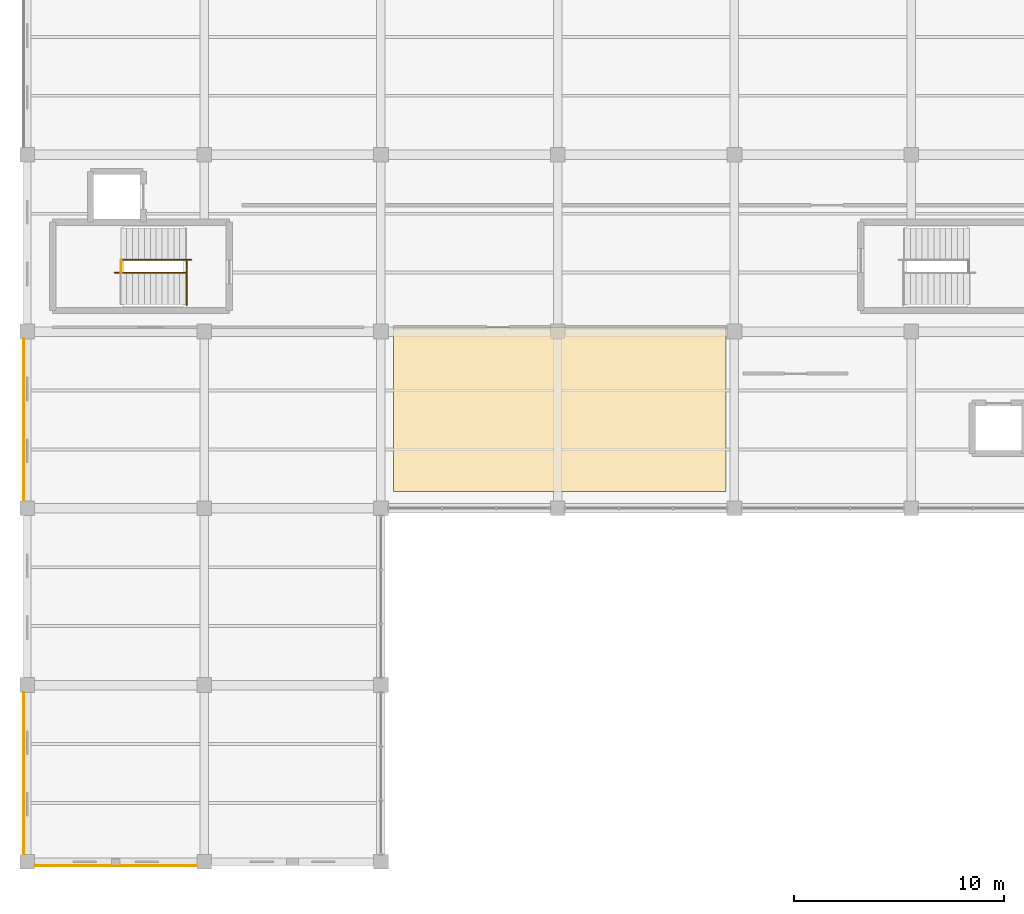
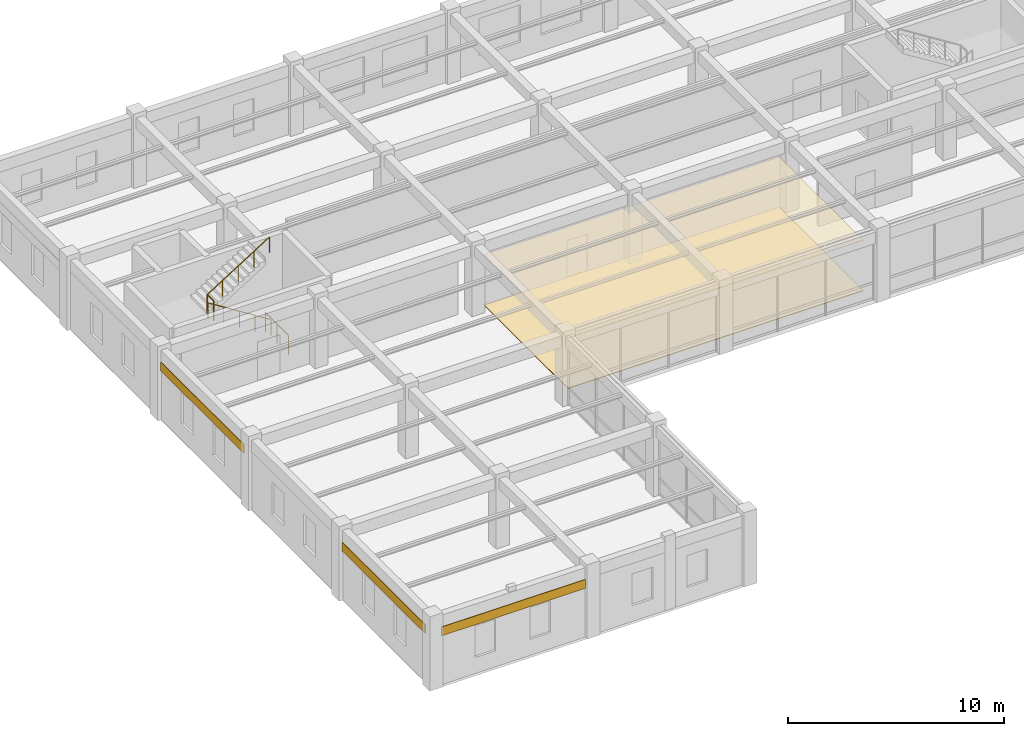
# One storey, part 137 of 152: 5 coverings, 4 railings.
"""IFC4 building model written with IfcOpenShell, lengths in metres."""

from ifc_helpers import new_model, si_unit, direction, frame, origin, origin_2d, place, context, subcontext, project, spatial, polyline, circle, outline, extrude, material, layer, layer_set, type_object, element, save


model = new_model("IFC4")

# Units and contexts
model_context = context("Model", 3, precision=1e-05, world=origin(), true_north=direction((0.0, 1.0)))
body_context = subcontext(model_context, "Body", "Model", "MODEL_VIEW")
ifc_project = project(units=[si_unit("LENGTHUNIT", "METRE"), si_unit("AREAUNIT", "SQUARE_METRE"), si_unit("VOLUMEUNIT", "CUBIC_METRE"), si_unit("PLANEANGLEUNIT", "RADIAN"), si_unit("MASSUNIT", "GRAM", prefix="KILO"), si_unit("THERMODYNAMICTEMPERATUREUNIT", "KELVIN"), si_unit("POWERUNIT", "WATT")], contexts=[model_context])

# Site, building, storey
site_placement = place(None, origin())
site = spatial("IfcSite", under=ifc_project, at=site_placement, CompositionType="ELEMENT")
building_placement = place(site_placement, origin())
building = spatial("IfcBuilding", under=site, at=building_placement, Name="Darbajah Civic Hall", CompositionType="ELEMENT")
storey_placement = place(building_placement, frame((0.0, 0.0, 5.39990234375)))
storey = spatial("IfcBuildingStorey", under=building, at=storey_placement, Name="L01", CompositionType="ELEMENT", Elevation=5.39990234375)

# Railings
ifc_material_1 = material(Name="Brushed Bronze Stainless Steel", Category="steel")
railing_type_1 = type_object("IfcRailingType", Name="Brushed Bronze Handrail", PredefinedType="HANDRAIL", material=ifc_material_1)
railing_1_placement = place(storey_placement, frame((7.52001953125, 28.0, 0.175048828125)))
element("IfcRailing", 1, at=railing_1_placement, inside=storey, type_object=railing_type_1, Name="ST10 L01 lower flight handrail", PredefinedType="HANDRAIL", context=body_context, shape_type="SweptSolid", body=[
    extrude(circle(Radius=0.02392578125, at=origin_2d()), frame((-0.023193359375, 0.0, 0.910400390625), z_axis=(-0.845944288966, 0.0, 0.533271281775), x_axis=(0.0, -1.0, 0.0)), (0.0, 0.0, 1.0), 3.91748046875),
    extrude(circle(Radius=0.02099609375, at=origin_2d()), origin(), (0.0, 0.0, 1.0), 0.867919921875),
    extrude(circle(Radius=0.02099609375, at=origin_2d()), frame((-0.840087890625, 0.0, 0.529541015625)), (0.0, 0.0, 1.0), 0.867919921875),
    extrude(circle(Radius=0.02099609375, at=origin_2d()), frame((-1.68017578125, 0.0, 1.05908203125)), (0.0, 0.0, 1.0), 0.867919921875),
    extrude(circle(Radius=0.02099609375, at=origin_2d()), frame((-2.52001953125, 0.0, 1.588623046875)), (0.0, 0.0, 1.0), 0.867919921875),
    extrude(circle(Radius=0.02099609375, at=origin_2d()), frame((-3.360107421875, 0.0, 2.1181640625)), (0.0, 0.0, 1.0), 0.867919921875),
])
railing_2_placement = place(storey_placement, frame((4.43994140625, 28.60009765625, 2.275146484375)))
element("IfcRailing", 2, at=railing_2_placement, inside=storey, type_object=railing_type_1, Name="ST10 L01 upper flight handrail", PredefinedType="HANDRAIL", context=body_context, shape_type="SweptSolid", body=[
    extrude(circle(Radius=0.02392578125, at=origin_2d()), frame((0.023193359375, 0.0, 0.910400390625), z_axis=(0.845944288966, 0.0, 0.533271281775), x_axis=(0.0, 1.0, 0.0)), (0.0, 0.0, 1.0), 3.91748046875),
    extrude(circle(Radius=0.02099609375, at=origin_2d()), origin(), (0.0, 0.0, 1.0), 0.867919921875),
    extrude(circle(Radius=0.02099609375, at=origin_2d()), frame((0.840087890625, 0.0, 0.529541015625)), (0.0, 0.0, 1.0), 0.867919921875),
    extrude(circle(Radius=0.02099609375, at=origin_2d()), frame((1.68017578125, 0.0, 1.05908203125)), (0.0, 0.0, 1.0), 0.867919921875),
    extrude(circle(Radius=0.02099609375, at=origin_2d()), frame((2.52001953125, 0.0, 1.588623046875)), (0.0, 0.0, 1.0), 0.867919921875),
    extrude(circle(Radius=0.02099609375, at=origin_2d()), frame((3.360107421875, 0.0, 2.1181640625)), (0.0, 0.0, 1.0), 0.867919921875),
])

# Covering
ifc_material_2 = material(Name="Honed Qatari Limestone Terrazzo", Category="masonry")
ifc_layer_1 = layer(ifc_material_2, 0.030029296875, Name="Honed Qatari Limestone Terrazzo")
ifc_layer_set_1 = layer_set([ifc_layer_1], Name="Honed Qatari Limestone Terrazzo")
covering_type_1 = type_object("IfcCoveringType", Name="Honed Qatari Limestone Terrazzo Flooring", PredefinedType="FLOORING", material=ifc_layer_set_1)
covering_1_placement = place(storey_placement, origin())
element("IfcCovering", 3, at=covering_1_placement, inside=storey, type_object=covering_type_1, Name="L01 stone terrazzo flooring L01-V5-02", PredefinedType="FLOORING", context=body_context, shape_type="SweptSolid", body=[
    extrude(outline(polyline([(17.39990234375, 17.60009765625), (33.199951171875, 17.60009765625), (33.199951171875, 25.39990234375), (17.39990234375, 25.39990234375), (17.39990234375, 17.60009765625)])), origin(), (0.0, 0.0, 1.0), 0.030029296875),
])

# Railings
ifc_material_3 = material(Name="Brushed Bronze and Laminated Safety Glass", Category="glass")
railing_type_2 = type_object("IfcRailingType", Name="Interior Guard Balustrade", PredefinedType="BALUSTRADE", material=ifc_material_3)
railing_3_placement = place(storey_placement, frame((7.570068359375, 26.449951171875, 0.0)))
element("IfcRailing", 4, at=railing_3_placement, inside=storey, type_object=railing_type_2, Name="ST10 L01 stair-well edge guard", PredefinedType="BALUSTRADE", context=body_context, shape_type="SweptSolid", body=[
    extrude(circle(Radius=0.02392578125, at=origin_2d()), frame((0.0, 0.02734375, 1.09619140625), z_axis=(0.0, 1.0, 0.0), x_axis=(-1.0, 0.0, 0.0)), (0.0, 0.0, 1.0), 2.095458984375),
    extrude(circle(Radius=0.02099609375, at=origin_2d()), origin(), (0.0, 0.0, 1.0), 1.068115234375),
    extrude(circle(Radius=0.02099609375, at=origin_2d()), frame((0.0, 1.0751953125, 0.0)), (0.0, 0.0, 1.0), 1.068115234375),
    extrude(circle(Radius=0.02099609375, at=origin_2d()), frame((0.0, 2.150146484375, 0.0)), (0.0, 0.0, 1.0), 1.068115234375),
])
railing_4_placement = place(storey_placement, frame((4.4599609375, 28.0, 2.10009765625)))
element("IfcRailing", 5, at=railing_4_placement, inside=storey, type_object=railing_type_2, Name="ST10 L01 landing well guard", PredefinedType="BALUSTRADE", context=body_context, shape_type="SweptSolid", body=[
    extrude(circle(Radius=0.02392578125, at=origin_2d()), frame((0.0, 0.02734375, 1.09619140625), z_axis=(0.0, 1.0, 0.0), x_axis=(-1.0, 0.0, 0.0)), (0.0, 0.0, 1.0), 0.54541015625),
    extrude(circle(Radius=0.02099609375, at=origin_2d()), origin(), (0.0, 0.0, 1.0), 1.068115234375),
    extrude(circle(Radius=0.02099609375, at=origin_2d()), frame((0.0, 0.60009765625, 0.0)), (0.0, 0.0, 1.0), 1.068115234375),
])

# Coverings
ifc_material_4 = material(Name="Qatari Desert Limestone Ashlar", Category="masonry")
ifc_layer_2 = layer(ifc_material_4, 0.044921875, Name="Qatari Desert Limestone Ashlar")
ifc_layer_set_2 = layer_set([ifc_layer_2], Name="Qatari Desert Limestone Ashlar")
covering_type_2 = type_object("IfcCoveringType", Name="Limestone Facade Cladding", PredefinedType="CLADDING", material=ifc_layer_set_2)
covering_2_placement = place(storey_placement, frame((0.0, 0.0, 2.7900390625)))
element("IfcCovering", 6, at=covering_2_placement, inside=storey, type_object=covering_type_2, Name="L01 stone frieze cladding EW-V5-L01-S0-B0", PredefinedType="CLADDING", context=body_context, shape_type="SweptSolid", body=[
    extrude(outline(polyline([(0.35205078125, -0.155029296875), (8.048095703125, -0.155029296875), (8.048095703125, -0.199951171875), (0.35205078125, -0.199951171875), (0.35205078125, -0.155029296875)])), origin(), (0.0, 0.0, 1.0), 0.5),
])
covering_3_placement = place(storey_placement, frame((0.0, 0.0, 2.7900390625)))
element("IfcCovering", 7, at=covering_3_placement, inside=storey, type_object=covering_type_2, Name="L01 stone frieze cladding EW-V5-L01-S7-B2", PredefinedType="CLADDING", context=body_context, shape_type="SweptSolid", body=[
    extrude(outline(polyline([(-0.155029296875, 24.847900390625), (-0.155029296875, 17.152099609375), (-0.199951171875, 17.152099609375), (-0.199951171875, 24.847900390625), (-0.155029296875, 24.847900390625)])), origin(), (0.0, 0.0, 1.0), 0.5),
])
covering_4_placement = place(storey_placement, frame((0.0, 0.0, 2.7900390625)))
element("IfcCovering", 8, at=covering_4_placement, inside=storey, type_object=covering_type_2, Name="L01 stone frieze cladding EW-V5-L01-S7-B4", PredefinedType="CLADDING", context=body_context, shape_type="SweptSolid", body=[
    extrude(outline(polyline([(-0.155029296875, 8.048095703125), (-0.155029296875, 0.35205078125), (-0.199951171875, 0.35205078125), (-0.199951171875, 8.048095703125), (-0.155029296875, 8.048095703125)])), origin(), (0.0, 0.0, 1.0), 0.5),
])
ifc_material_5 = material(Name="Perforated Acoustic Gypsum Board")
ifc_layer_3 = layer(ifc_material_5, 0.02490234375, Name="Perforated Acoustic Gypsum Board")
ifc_layer_set_3 = layer_set([ifc_layer_3], Name="Perforated Acoustic Gypsum Board")
covering_type_3 = type_object("IfcCoveringType", Name="Perforated Acoustic Gypsum Ceiling", PredefinedType="CEILING", material=ifc_layer_set_3)
covering_5_placement = place(storey_placement, frame((0.0, 0.0, 2.85009765625)))
element("IfcCovering", 9, at=covering_5_placement, inside=storey, type_object=covering_type_3, Name="L01 acoustic suspended ceiling L01-V5-02", PredefinedType="CEILING", context=body_context, shape_type="SweptSolid", body=[
    extrude(outline(polyline([(17.39990234375, 17.60009765625), (33.199951171875, 17.60009765625), (33.199951171875, 25.39990234375), (17.39990234375, 25.39990234375), (17.39990234375, 17.60009765625)])), origin(), (0.0, 0.0, 1.0), 0.02490234375),
])

save(model, "model.ifc")
